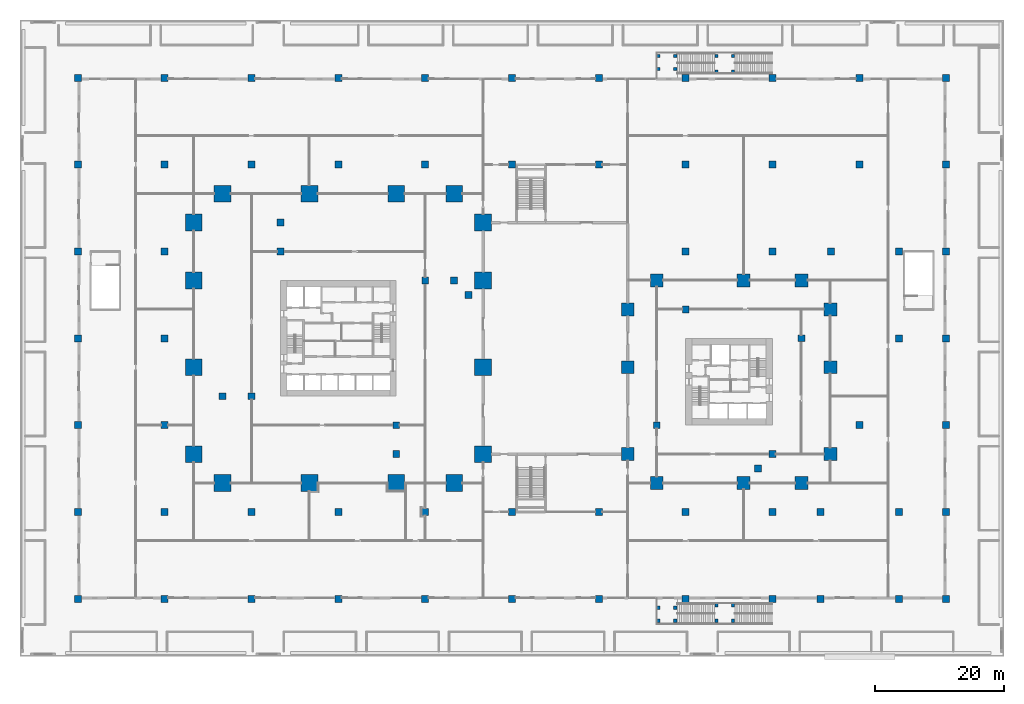
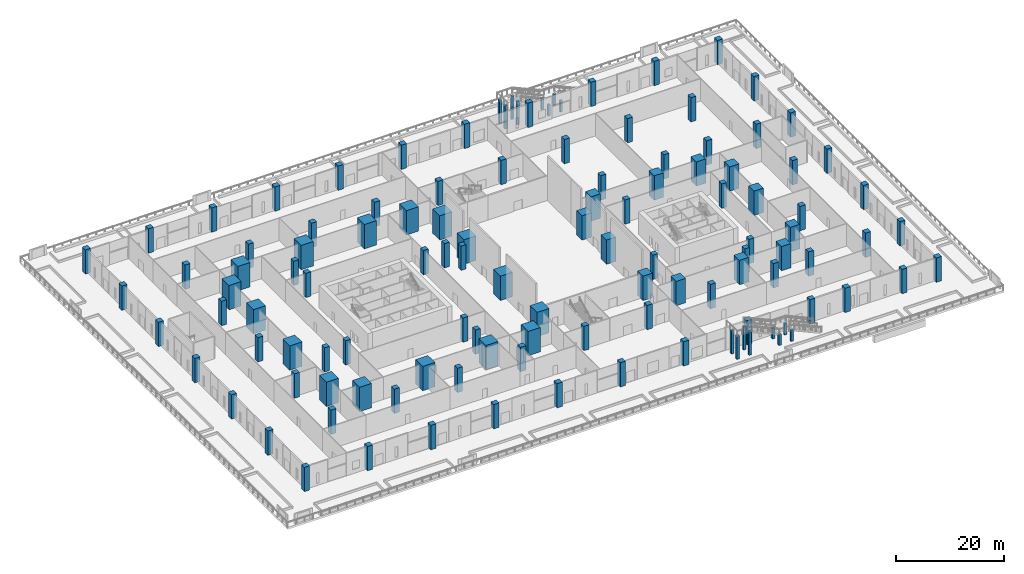
# One storey, part 1 of 47: 119 columns.
"""IFC4 building model written with IfcOpenShell, lengths in metres."""

from ifc_helpers import new_model, si_unit, direction, frame, origin, origin_2d, place, context, subcontext, project, spatial, rectangle, extrude, material, material_profile, profile_set, type_object, element, save


model = new_model("IFC4")

# Units and contexts
model_context = context("Model", 3, precision=1e-05, world=origin(), true_north=direction((0.0, 1.0)))
body_context = subcontext(model_context, "Body", "Model", "MODEL_VIEW")
ifc_project = project(units=[si_unit("LENGTHUNIT", "METRE"), si_unit("AREAUNIT", "SQUARE_METRE"), si_unit("VOLUMEUNIT", "CUBIC_METRE"), si_unit("PLANEANGLEUNIT", "RADIAN"), si_unit("MASSUNIT", "GRAM", prefix="KILO")], contexts=[model_context])

# Site, building, storey
site_placement = place(None, origin())
site = spatial("IfcSite", under=ifc_project, at=site_placement, CompositionType="ELEMENT")
building_placement = place(site_placement, origin())
building = spatial("IfcBuilding", under=site, at=building_placement, Name="Altepetl Exchange Towers", CompositionType="ELEMENT")
storey_placement = place(building_placement, frame((0.0, 0.0, 6.0)))
storey = spatial("IfcBuildingStorey", under=building, at=storey_placement, Name="L01 Retail podium", CompositionType="ELEMENT", Elevation=6.0)

# Columns
ifc_material_1 = material(Name="Concrete C35/45", Category="concrete")
ifc_material_profile_1 = material_profile(ifc_material_1, rectangle(XDim=0.5, YDim=0.5, at=origin_2d()), Name="500 x 500")
ifc_profile_set_1 = profile_set([ifc_material_profile_1], Name="Concrete C35/45")
column_type_1 = type_object("IfcColumnType", Name="Garden steps pier 500", PredefinedType="COLUMN", material=ifc_profile_set_1)
for number, where, name in (
    (1, (99.300048828125, 7.60009765625, 0.0), "col:P:L01:R1pier0"),
    (2, (99.300048828125, 5.60009765625, 0.0), "col:P:L01:R1pier1"),
    (3, (101.89990234375, 7.60009765625, 0.0), "col:P:L01:R1pier2"),
    (4, (101.89990234375, 5.60009765625, 0.0), "col:P:L01:R1pier3"),
):
    element("IfcColumn", number, at=place(storey_placement, frame(where)), inside=storey, type_object=column_type_1, Name=name, PredefinedType="COLUMN", context=body_context, shape_type="SweptSolid", body=[
        extrude(rectangle(XDim=0.5, YDim=0.5, at=origin_2d()), origin(), (0.0, 0.0, 1.0), 5.25),
    ])
for number, where, name in (
    (5, (108.280029296875, 8.0, 0.0), "col:P:L01:R1pier4"),
    (6, (108.280029296875, 5.60009765625, 0.0), "col:P:L01:R1pier5"),
    (7, (110.8798828125, 8.0, 0.0), "col:P:L01:R1pier6"),
    (8, (110.8798828125, 5.60009765625, 0.0), "col:P:L01:R1pier7"),
):
    element("IfcColumn", number, at=place(storey_placement, frame(where)), inside=storey, type_object=column_type_1, Name=name, PredefinedType="COLUMN", context=body_context, shape_type="SweptSolid", body=[
        extrude(rectangle(XDim=0.5, YDim=0.5, at=origin_2d()), origin(), (0.0, 0.0, 1.0), 2.5),
    ])
for number, where, name in (
    (9, (99.300048828125, 91.39990234375, 0.0), "col:P:L01:R2pier0"),
    (10, (99.300048828125, 93.39990234375, 0.0), "col:P:L01:R2pier1"),
    (11, (101.89990234375, 91.39990234375, 0.0), "col:P:L01:R2pier2"),
    (12, (101.89990234375, 93.39990234375, 0.0), "col:P:L01:R2pier3"),
):
    element("IfcColumn", number, at=place(storey_placement, frame(where)), inside=storey, type_object=column_type_1, Name=name, PredefinedType="COLUMN", context=body_context, shape_type="SweptSolid", body=[
        extrude(rectangle(XDim=0.5, YDim=0.5, at=origin_2d()), origin(), (0.0, 0.0, 1.0), 5.25),
    ])
for number, where, name in (
    (13, (108.280029296875, 91.0, 0.0), "col:P:L01:R2pier4"),
    (14, (108.280029296875, 93.39990234375, 0.0), "col:P:L01:R2pier5"),
    (15, (110.8798828125, 91.0, 0.0), "col:P:L01:R2pier6"),
    (16, (110.8798828125, 93.39990234375, 0.0), "col:P:L01:R2pier7"),
):
    element("IfcColumn", number, at=place(storey_placement, frame(where)), inside=storey, type_object=column_type_1, Name=name, PredefinedType="COLUMN", context=body_context, shape_type="SweptSolid", body=[
        extrude(rectangle(XDim=0.5, YDim=0.5, at=origin_2d()), origin(), (0.0, 0.0, 1.0), 2.5),
    ])
ifc_material_2 = material(Name="Concrete C70/85", Category="concrete")
ifc_material_profile_2 = material_profile(ifc_material_2, rectangle(XDim=1.050048828125, YDim=1.050048828125, at=origin_2d()), Name="1050 x 1050")
ifc_profile_set_2 = profile_set([ifc_material_profile_2], Name="Concrete C70/85")
column_type_2 = type_object("IfcColumnType", Name="Interior column 1050", PredefinedType="COLUMN", material=ifc_profile_set_2)
for number, where, name in (
    (17, (31.5, 40.5, 0.0), "col:A:L01:040"),
    (18, (36.0, 40.5, 0.0), "col:A:L01:041"),
    (19, (40.5, 63.0, 0.0), "col:A:L01:042"),
    (20, (40.5, 67.5, 0.0), "col:A:L01:043"),
    (21, (58.5, 31.5, 0.0), "col:A:L01:044"),
    (22, (58.5, 36.0, 0.0), "col:A:L01:045"),
    (23, (63.0, 58.5, 0.0), "col:A:L01:046"),
    (24, (67.5, 58.5, 0.0), "col:A:L01:047"),
    (25, (69.75, 56.25, 0.0), "col:A:L01:048"),
    (26, (99.0, 36.0, 0.0), "col:B:L01:028"),
    (27, (103.5, 54.0, 0.0), "col:B:L01:029"),
    (28, (114.75, 29.25, 0.0), "col:B:L01:030"),
    (29, (117.0, 31.5, 0.0), "col:B:L01:031"),
    (30, (121.5, 49.5, 0.0), "col:B:L01:032"),
):
    element("IfcColumn", number, at=place(storey_placement, frame(where)), inside=storey, type_object=column_type_2, Name=name, PredefinedType="COLUMN", context=body_context, shape_type="SweptSolid", body=[
        extrude(rectangle(XDim=1.050048828125, YDim=1.050048828125, at=origin_2d()), origin(), (0.0, 0.0, 1.0), 5.5),
    ])
ifc_material_3 = material(Name="Concrete C70/85 precast with cantera amarilla facing", Category="concrete")
ifc_material_profile_3 = material_profile(ifc_material_3, rectangle(XDim=2.0, YDim=2.0, at=origin_2d()), Name="2000 x 2000")
ifc_profile_set_3 = profile_set([ifc_material_profile_3], Name="Concrete C70/85 precast with cantera amarilla facing")
column_type_3 = type_object("IfcColumnType", Name="Mega-column 2000 cantera amarilla", PredefinedType="COLUMN", material=ifc_profile_set_3)
for number, where, name in (
    (31, (112.5, 58.5, 0.0), "col:B:L01:m06"),
    (32, (121.5, 58.5, 0.0), "col:B:L01:m08"),
    (33, (126.0, 54.0, 0.0), "col:B:L01:m11"),
):
    element("IfcColumn", number, at=place(storey_placement, frame(where)), inside=storey, type_object=column_type_3, Name=name, PredefinedType="COLUMN", context=body_context, shape_type="SweptSolid", body=[
        extrude(rectangle(XDim=2.0, YDim=2.0, at=origin_2d()), origin(), (0.0, 0.0, 1.0), 5.5),
    ])
ifc_material_4 = material(Name="Concrete C70/85 precast with cantera blanca facing", Category="concrete")
ifc_material_profile_4 = material_profile(ifc_material_4, rectangle(XDim=2.0, YDim=2.0, at=origin_2d()), Name="2000 x 2000")
ifc_profile_set_4 = profile_set([ifc_material_profile_4], Name="Concrete C70/85 precast with cantera blanca facing")
column_type_4 = type_object("IfcColumnType", Name="Mega-column 2000 cantera blanca", PredefinedType="COLUMN", material=ifc_profile_set_4)
for number, where, name in (
    (34, (121.5, 27.0, 0.0), "col:B:L01:m07"),
    (35, (126.0, 31.5, 0.0), "col:B:L01:m09"),
    (36, (126.0, 45.0, 0.0), "col:B:L01:m10"),
):
    element("IfcColumn", number, at=place(storey_placement, frame(where)), inside=storey, type_object=column_type_4, Name=name, PredefinedType="COLUMN", context=body_context, shape_type="SweptSolid", body=[
        extrude(rectangle(XDim=2.0, YDim=2.0, at=origin_2d()), origin(), (0.0, 0.0, 1.0), 5.5),
    ])
ifc_material_5 = material(Name="Concrete C70/85 precast with cantera rosa facing", Category="concrete")
ifc_material_profile_5 = material_profile(ifc_material_5, rectangle(XDim=2.0, YDim=2.0, at=origin_2d()), Name="2000 x 2000")
ifc_profile_set_5 = profile_set([ifc_material_profile_5], Name="Concrete C70/85 precast with cantera rosa facing")
column_type_5 = type_object("IfcColumnType", Name="Mega-column 2000 cantera rosa", PredefinedType="COLUMN", material=ifc_profile_set_5)
for number, where, name in (
    (37, (94.5, 45.0, 0.0), "col:B:L01:m01"),
    (38, (94.5, 54.0, 0.0), "col:B:L01:m02"),
    (39, (99.0, 58.5, 0.0), "col:B:L01:m04"),
):
    element("IfcColumn", number, at=place(storey_placement, frame(where)), inside=storey, type_object=column_type_5, Name=name, PredefinedType="COLUMN", context=body_context, shape_type="SweptSolid", body=[
        extrude(rectangle(XDim=2.0, YDim=2.0, at=origin_2d()), origin(), (0.0, 0.0, 1.0), 5.5),
    ])
ifc_material_6 = material(Name="Concrete C70/85 precast with tezontle facing", Category="concrete")
ifc_material_profile_6 = material_profile(ifc_material_6, rectangle(XDim=2.0, YDim=2.0, at=origin_2d()), Name="2000 x 2000")
ifc_profile_set_6 = profile_set([ifc_material_profile_6], Name="Concrete C70/85 precast with tezontle facing")
column_type_6 = type_object("IfcColumnType", Name="Mega-column 2000 tezontle", PredefinedType="COLUMN", material=ifc_profile_set_6)
for number, where, name in (
    (40, (94.5, 31.5, 0.0), "col:B:L01:m00"),
    (41, (99.0, 27.0, 0.0), "col:B:L01:m03"),
    (42, (112.5, 27.0, 0.0), "col:B:L01:m05"),
):
    element("IfcColumn", number, at=place(storey_placement, frame(where)), inside=storey, type_object=column_type_6, Name=name, PredefinedType="COLUMN", context=body_context, shape_type="SweptSolid", body=[
        extrude(rectangle(XDim=2.0, YDim=2.0, at=origin_2d()), origin(), (0.0, 0.0, 1.0), 5.5),
    ])
ifc_material_profile_7 = material_profile(ifc_material_3, rectangle(XDim=2.60009765625, YDim=2.60009765625, at=origin_2d()), Name="2600 x 2600")
ifc_profile_set_7 = profile_set([ifc_material_profile_7], Name="Concrete C70/85 precast with cantera amarilla facing")
column_type_7 = type_object("IfcColumnType", Name="Mega-column 2600 cantera amarilla", PredefinedType="COLUMN", material=ifc_profile_set_7)
for number, where, name in (
    (43, (58.5, 27.0, 0.0), "col:A:L01:m08"),
    (44, (67.5, 27.0, 0.0), "col:A:L01:m10"),
    (45, (72.0, 31.5, 0.0), "col:A:L01:m12"),
    (46, (72.0, 45.0, 0.0), "col:A:L01:m13"),
):
    element("IfcColumn", number, at=place(storey_placement, frame(where)), inside=storey, type_object=column_type_7, Name=name, PredefinedType="COLUMN", context=body_context, shape_type="SweptSolid", body=[
        extrude(rectangle(XDim=2.60009765625, YDim=2.60009765625, at=origin_2d()), origin(), (0.0, 0.0, 1.0), 5.5),
    ])
ifc_material_profile_8 = material_profile(ifc_material_4, rectangle(XDim=2.60009765625, YDim=2.60009765625, at=origin_2d()), Name="2600 x 2600")
ifc_profile_set_8 = profile_set([ifc_material_profile_8], Name="Concrete C70/85 precast with cantera blanca facing")
column_type_8 = type_object("IfcColumnType", Name="Mega-column 2600 cantera blanca", PredefinedType="COLUMN", material=ifc_profile_set_8)
for number, where, name in (
    (47, (27.0, 31.5, 0.0), "col:A:L01:m00"),
    (48, (31.5, 27.0, 0.0), "col:A:L01:m04"),
    (49, (45.0, 27.0, 0.0), "col:A:L01:m06"),
):
    element("IfcColumn", number, at=place(storey_placement, frame(where)), inside=storey, type_object=column_type_8, Name=name, PredefinedType="COLUMN", context=body_context, shape_type="SweptSolid", body=[
        extrude(rectangle(XDim=2.60009765625, YDim=2.60009765625, at=origin_2d()), origin(), (0.0, 0.0, 1.0), 5.5),
    ])
ifc_material_profile_9 = material_profile(ifc_material_5, rectangle(XDim=2.60009765625, YDim=2.60009765625, at=origin_2d()), Name="2600 x 2600")
ifc_profile_set_9 = profile_set([ifc_material_profile_9], Name="Concrete C70/85 precast with cantera rosa facing")
column_type_9 = type_object("IfcColumnType", Name="Mega-column 2600 cantera rosa", PredefinedType="COLUMN", material=ifc_profile_set_9)
for number, where, name in (
    (50, (45.0, 72.0, 0.0), "col:A:L01:m07"),
    (51, (58.5, 72.0, 0.0), "col:A:L01:m09"),
    (52, (67.5, 72.0, 0.0), "col:A:L01:m11"),
    (53, (72.0, 58.5, 0.0), "col:A:L01:m14"),
    (54, (72.0, 67.5, 0.0), "col:A:L01:m15"),
):
    element("IfcColumn", number, at=place(storey_placement, frame(where)), inside=storey, type_object=column_type_9, Name=name, PredefinedType="COLUMN", context=body_context, shape_type="SweptSolid", body=[
        extrude(rectangle(XDim=2.60009765625, YDim=2.60009765625, at=origin_2d()), origin(), (0.0, 0.0, 1.0), 5.5),
    ])
ifc_material_profile_10 = material_profile(ifc_material_6, rectangle(XDim=2.60009765625, YDim=2.60009765625, at=origin_2d()), Name="2600 x 2600")
ifc_profile_set_10 = profile_set([ifc_material_profile_10], Name="Concrete C70/85 precast with tezontle facing")
column_type_10 = type_object("IfcColumnType", Name="Mega-column 2600 tezontle", PredefinedType="COLUMN", material=ifc_profile_set_10)
for number, where, name in (
    (55, (27.0, 45.0, 0.0), "col:A:L01:m01"),
    (56, (27.0, 58.5, 0.0), "col:A:L01:m02"),
    (57, (27.0, 67.5, 0.0), "col:A:L01:m03"),
    (58, (31.5, 72.0, 0.0), "col:A:L01:m05"),
):
    element("IfcColumn", number, at=place(storey_placement, frame(where)), inside=storey, type_object=column_type_10, Name=name, PredefinedType="COLUMN", context=body_context, shape_type="SweptSolid", body=[
        extrude(rectangle(XDim=2.60009765625, YDim=2.60009765625, at=origin_2d()), origin(), (0.0, 0.0, 1.0), 5.5),
    ])
ifc_material_profile_11 = material_profile(ifc_material_2, rectangle(XDim=1.10009765625, YDim=1.10009765625, at=origin_2d()), Name="1100 x 1100")
ifc_profile_set_11 = profile_set([ifc_material_profile_11], Name="Concrete C70/85")
column_type_11 = type_object("IfcColumnType", Name="Podium column 1100", PredefinedType="COLUMN", material=ifc_profile_set_11)
for number, where, name in (
    (59, (9.0, 9.0, 0.0), "col:P:L01:000"),
    (60, (9.0, 22.5, 0.0), "col:P:L01:001"),
    (61, (9.0, 36.0, 0.0), "col:P:L01:002"),
    (62, (9.0, 49.5, 0.0), "col:P:L01:003"),
    (63, (9.0, 63.0, 0.0), "col:P:L01:004"),
    (64, (9.0, 76.5, 0.0), "col:P:L01:005"),
    (65, (9.0, 90.0, 0.0), "col:P:L01:006"),
    (66, (22.5, 9.0, 0.0), "col:P:L01:007"),
    (67, (22.5, 22.5, 0.0), "col:P:L01:008"),
    (68, (22.5, 36.0, 0.0), "col:P:L01:009"),
    (69, (22.5, 49.5, 0.0), "col:P:L01:010"),
    (70, (22.5, 63.0, 0.0), "col:P:L01:011"),
    (71, (22.5, 76.5, 0.0), "col:P:L01:012"),
    (72, (22.5, 90.0, 0.0), "col:P:L01:013"),
    (73, (36.0, 9.0, 0.0), "col:P:L01:014"),
    (74, (36.0, 22.5, 0.0), "col:P:L01:015"),
    (75, (36.0, 76.5, 0.0), "col:P:L01:016"),
    (76, (36.0, 90.0, 0.0), "col:P:L01:017"),
    (77, (49.5, 9.0, 0.0), "col:P:L01:018"),
    (78, (49.5, 22.5, 0.0), "col:P:L01:019"),
    (79, (49.5, 76.5, 0.0), "col:P:L01:020"),
    (80, (49.5, 90.0, 0.0), "col:P:L01:021"),
    (81, (63.0, 9.0, 0.0), "col:P:L01:022"),
    (82, (63.0, 22.5, 0.0), "col:P:L01:023"),
    (83, (63.0, 76.5, 0.0), "col:P:L01:024"),
    (84, (63.0, 90.0, 0.0), "col:P:L01:025"),
    (85, (76.5, 9.0, 0.0), "col:P:L01:026"),
    (86, (76.5, 22.5, 0.0), "col:P:L01:027"),
    (87, (76.5, 76.5, 0.0), "col:P:L01:028"),
    (88, (76.5, 90.0, 0.0), "col:P:L01:029"),
    (89, (90.0, 9.0, 0.0), "col:P:L01:030"),
    (90, (90.0, 22.5, 0.0), "col:P:L01:031"),
    (91, (90.0, 76.5, 0.0), "col:P:L01:032"),
    (92, (90.0, 90.0, 0.0), "col:P:L01:033"),
    (93, (103.5, 9.0, 0.0), "col:P:L01:034"),
    (94, (103.5, 22.5, 0.0), "col:P:L01:035"),
    (95, (103.5, 63.0, 0.0), "col:P:L01:036"),
    (96, (103.5, 76.5, 0.0), "col:P:L01:037"),
    (97, (103.5, 90.0, 0.0), "col:P:L01:038"),
    (98, (117.0, 9.0, 0.0), "col:P:L01:039"),
    (99, (117.0, 22.5, 0.0), "col:P:L01:040"),
    (100, (117.0, 63.0, 0.0), "col:P:L01:041"),
    (101, (117.0, 76.5, 0.0), "col:P:L01:042"),
    (102, (117.0, 90.0, 0.0), "col:P:L01:043"),
    (103, (124.5, 9.0, 0.0), "col:P:L01:044"),
    (104, (124.5, 22.5, 0.0), "col:P:L01:045"),
    (105, (126.10009765625, 63.0, 0.0), "col:P:L01:046"),
    (106, (130.5, 36.0, 0.0), "col:P:L01:047"),
    (107, (130.5, 76.5, 0.0), "col:P:L01:048"),
    (108, (130.5, 90.0, 0.0), "col:P:L01:049"),
    (109, (136.64990234375, 9.0, 0.0), "col:P:L01:050"),
    (110, (136.64990234375, 22.5, 0.0), "col:P:L01:051"),
    (111, (136.64990234375, 49.5, 0.0), "col:P:L01:052"),
    (112, (136.64990234375, 63.0, 0.0), "col:P:L01:053"),
    (113, (144.0, 9.0, 0.0), "col:P:L01:054"),
    (114, (144.0, 22.5, 0.0), "col:P:L01:055"),
    (115, (144.0, 36.0, 0.0), "col:P:L01:056"),
    (116, (144.0, 49.5, 0.0), "col:P:L01:057"),
    (117, (144.0, 63.0, 0.0), "col:P:L01:058"),
    (118, (144.0, 76.5, 0.0), "col:P:L01:059"),
    (119, (144.0, 90.0, 0.0), "col:P:L01:060"),
):
    element("IfcColumn", number, at=place(storey_placement, frame(where)), inside=storey, type_object=column_type_11, Name=name, PredefinedType="COLUMN", context=body_context, shape_type="SweptSolid", body=[
        extrude(rectangle(XDim=1.10009765625, YDim=1.10009765625, at=origin_2d()), origin(), (0.0, 0.0, 1.0), 5.5),
    ])

save(model, "model.ifc")
